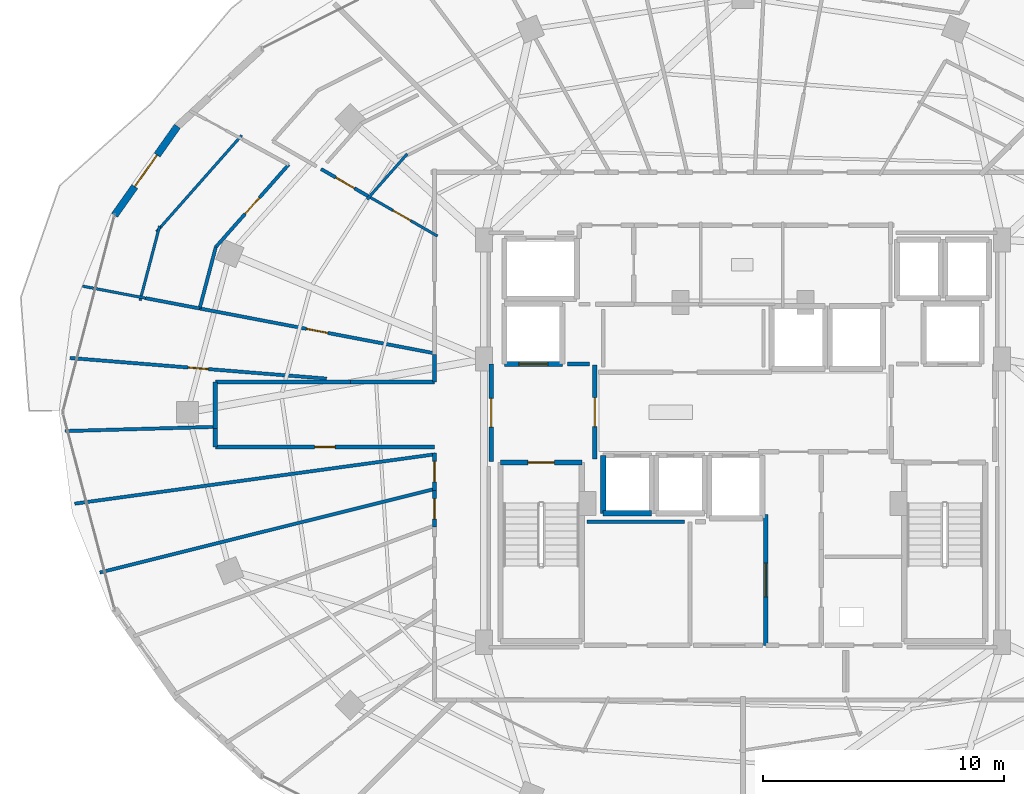
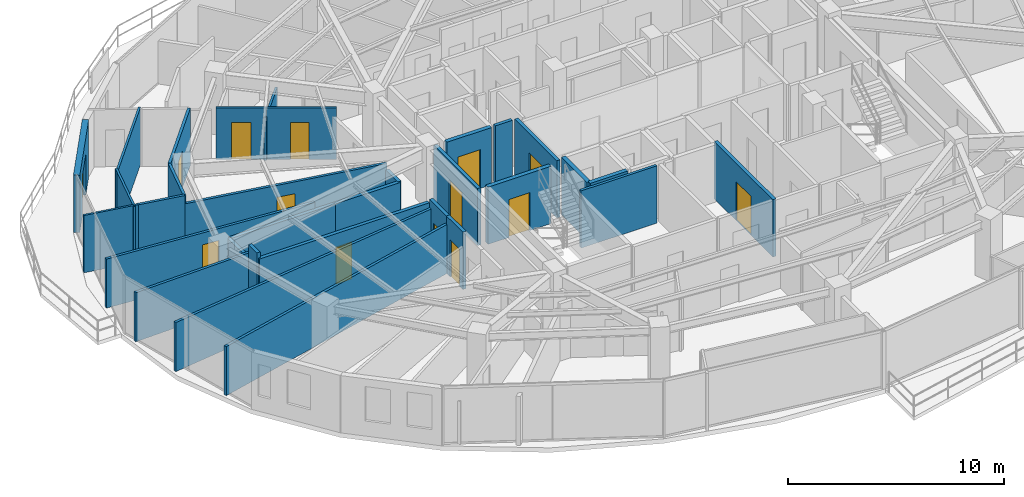
# One storey, part 23 of 31: 32 walls, 14 doors, 14 openings.
"""IFC4 building model written with IfcOpenShell, lengths in metres."""

from ifc_helpers import new_model, si_unit, direction, frame, frame_2d, origin, place, context, subcontext, project, spatial, rectangle, extrude, material, layer, layer_set, type_object, element, fill, save


model = new_model("IFC4")

# Units and contexts
model_context = context("Model", 3, precision=1e-05, world=origin(), true_north=direction((0.0, 1.0)))
body_context = subcontext(model_context, "Body", "Model", "MODEL_VIEW")
ifc_project = project(units=[si_unit("LENGTHUNIT", "METRE"), si_unit("AREAUNIT", "SQUARE_METRE"), si_unit("VOLUMEUNIT", "CUBIC_METRE"), si_unit("PLANEANGLEUNIT", "RADIAN"), si_unit("MASSUNIT", "GRAM", prefix="KILO")], contexts=[model_context])

# Site, building, storey
site_placement = place(None, origin())
site = spatial("IfcSite", under=ifc_project, at=site_placement, CompositionType="ELEMENT")
building_placement = place(site_placement, origin())
building = spatial("IfcBuilding", under=site, at=building_placement, Name="Vorneva Point Tower", CompositionType="ELEMENT")
storey_placement = place(building_placement, frame((0.0, 0.0, 193.10009765625)))
storey = spatial("IfcBuildingStorey", under=building, at=storey_placement, Name="L52", CompositionType="ELEMENT", Elevation=193.10009765625)

# Wall, opening, door
ifc_material_1 = material(Name="Concrete B60 (C50/60)", Category="concrete")
ifc_layer_1 = layer(ifc_material_1, 0.35009765625)
ifc_layer_set_1 = layer_set([ifc_layer_1], Name="Concrete B60 (C50/60)")
wall_type_1 = type_object("IfcWallType", Name="WL-CORE-350", PredefinedType="SHEAR", material=ifc_layer_set_1)
wall_1_placement = place(storey_placement, frame((28.10009765625, 28.0, 0.0), z_axis=(0.0, 0.0, 1.0), x_axis=(1.0, 0.0, 0.0)))
wall_1 = element("IfcWall", 1, at=wall_1_placement, inside=storey, type_object=wall_type_1, Name="L52 Lift FFL1 Shaft Wall -Y", PredefinedType="SHEAR", context=body_context, shape_type="SweptSolid", body=[
    extrude(rectangle(XDim=2.39990234375, YDim=0.219970703125, at=frame_2d((1.199951171875, 0.0))), origin(), (0.0, 0.0, 1.0), 3.239990234375),
])
opening_1_placement = place(wall_1_placement, frame((0.60009765625, 0.0, 0.0)))
opening_1 = element("IfcOpeningElement", 2, at=opening_1_placement, cuts=wall_1, Name="Opening LD-02", PredefinedType="OPENING", context=body_context, shape_type="SweptSolid", body=[
    extrude(rectangle(XDim=1.199951171875, YDim=2.199951171875, at=frame_2d((0.60009765625, 1.10009765625))), frame((0.0, 0.125, 0.0), z_axis=(0.0, -1.0, 0.0), x_axis=(1.0, 0.0, 0.0)), (0.0, 0.0, 1.0), 0.249755859375),
])
ifc_material_2 = material(Name="Brushed stainless steel S304", Category="steel")
door_type_1 = type_object("IfcDoorType", Name="LD-FIRE-1200", OperationType="SLIDING_TO_LEFT", PredefinedType="DOOR", material=ifc_material_2)
door_1_placement = place(opening_1_placement, origin())
door_1 = element("IfcDoor", 3, at=door_1_placement, inside=storey, type_object=door_type_1, Name="L52 Lift FFL1 Sliding Landing Door", OperationType="SLIDING_TO_LEFT", OverallHeight=2.199951171875, OverallWidth=1.199951171875, PredefinedType="DOOR", context=body_context, shape_type="SweptSolid", body=[
    extrude(rectangle(XDim=1.199951171875, YDim=2.199951171875, at=frame_2d((0.60009765625, 1.10009765625))), frame((0.0, 0.02490234375, 0.0), z_axis=(0.0, -1.0, 0.0), x_axis=(1.0, 0.0, 0.0)), (0.0, 0.0, 1.0), 0.050048828125),
])
fill(opening_1, door_1)

ifc_material_3 = material(Name="Precast concrete B50 (C40/50)", Category="concrete")
ifc_layer_2 = layer(ifc_material_3, 0.300048828125)
ifc_layer_set_2 = layer_set([ifc_layer_2], Name="Precast concrete B50 (C40/50)")
wall_type_2 = type_object("IfcWallType", Name="WL-EXT-300", PredefinedType="STANDARD", material=ifc_layer_set_2)
wall_2_placement = place(storey_placement, frame((14.527587890625, 37.861328125, 0.0), z_axis=(0.0, 0.0, 1.0), x_axis=(-0.577168747264, -0.81662490605, 0.0)))
wall_2 = element("IfcWall", 4, at=wall_2_placement, inside=storey, type_object=wall_type_2, Name="L52 Pale-Metal Facade Spandrel Wall 07.2", PredefinedType="STANDARD", context=body_context, shape_type="SweptSolid", body=[
    extrude(rectangle(XDim=4.519775390625, YDim=0.300048828125, at=frame_2d((2.259765625, 0.0))), origin(), (0.0, 0.0, 1.0), 3.239990234375),
])
opening_2_placement = place(wall_2_placement, frame((1.4599609375, 0.0, 0.0)))
opening_2 = element("IfcOpeningElement", 5, at=opening_2_placement, cuts=wall_2, Name="Opening BD-01", PredefinedType="OPENING", context=body_context, shape_type="SweptSolid", body=[
    extrude(rectangle(XDim=1.60009765625, YDim=2.300048828125, at=frame_2d((0.800048828125, 1.14990234375))), frame((0.0, 0.1650390625, 0.0), z_axis=(0.0, -1.0, 0.0), x_axis=(1.0, 0.0, 0.0)), (0.0, 0.0, 1.0), 0.329833984375),
])
ifc_material_4 = material(Name="Pale anodised aluminium", Category="aluminium")
door_type_2 = type_object("IfcDoorType", Name="DR-BAL-1600", OperationType="SLIDING_TO_LEFT", PredefinedType="DOOR", material=ifc_material_4)
door_2_placement = place(opening_2_placement, origin())
door_2 = element("IfcDoor", 6, at=door_2_placement, inside=storey, type_object=door_type_2, Name="L52 Balcony Terrace Access Door 07", OperationType="SLIDING_TO_LEFT", OverallHeight=2.300048828125, OverallWidth=1.60009765625, PredefinedType="DOOR", context=body_context, shape_type="SweptSolid", body=[
    extrude(rectangle(XDim=1.60009765625, YDim=2.300048828125, at=frame_2d((0.800048828125, 1.14990234375))), frame((0.0, 0.02490234375, 0.0), z_axis=(0.0, -1.0, 0.0), x_axis=(1.0, 0.0, 0.0)), (0.0, 0.0, 1.0), 0.050048828125),
])
fill(opening_2, door_2)

ifc_material_5 = material(Name="Fire-rated acoustic gypsum stud partition", Category="gypsum")
ifc_layer_3 = layer(ifc_material_5, 0.110107421875)
ifc_layer_set_3 = layer_set([ifc_layer_3], Name="Fire-rated acoustic gypsum stud partition")
wall_type_3 = type_object("IfcWallType", Name="WL-PART-110", PredefinedType="PARTITIONING", material=ifc_layer_set_3)
wall_3_placement = place(storey_placement, frame((25.3212890625, 33.30615234375, 0.0), z_axis=(0.0, 0.0, 1.0), x_axis=(-0.866517217622, 0.49914718427, 0.0)))
wall_3 = element("IfcWall", 7, at=wall_3_placement, inside=storey, type_object=wall_type_3, Name="L52 Interior Partition 091", PredefinedType="PARTITIONING", context=body_context, shape_type="SweptSolid", body=[
    extrude(rectangle(XDim=3.4052734375, YDim=0.110107421875, at=frame_2d((1.70263671875, 0.0))), origin(), (0.0, 0.0, 1.0), 2.921875),
])
opening_3_placement = place(wall_3_placement, frame((1.277587890625, 0.0, 0.0)))
opening_3 = element("IfcOpeningElement", 8, at=opening_3_placement, cuts=wall_3, Name="Opening ID-02", PredefinedType="OPENING", context=body_context, shape_type="SweptSolid", body=[
    extrude(rectangle(XDim=0.85009765625, YDim=2.10009765625, at=frame_2d((0.425048828125, 1.050048828125))), frame((0.0, 0.06982421875, 0.0), z_axis=(0.0, -1.0, 0.0), x_axis=(1.0, 0.0, 0.0)), (0.0, 0.0, 1.0), 0.139892578125),
])
ifc_material_6 = material(Name="Engineered oak fire-rated door leaf", Category="wood")
door_type_3 = type_object("IfcDoorType", Name="DR-BATH-850", OperationType="NOTDEFINED", PredefinedType="DOOR", material=ifc_material_6)
door_3_placement = place(opening_3_placement, origin())
door_3 = element("IfcDoor", 9, at=door_3_placement, inside=storey, type_object=door_type_3, Name="L52 Door Living and Dining Room L52-02 / Bathroom L52-02", OperationType="SINGLE_SWING_RIGHT", OverallHeight=2.10009765625, OverallWidth=0.85009765625, PredefinedType="DOOR", context=body_context, shape_type="SweptSolid", body=[
    extrude(rectangle(XDim=0.85009765625, YDim=2.10009765625, at=frame_2d((0.425048828125, 1.050048828125))), frame((0.0, 0.02490234375, 0.0), z_axis=(0.0, -1.0, 0.0), x_axis=(1.0, 0.0, 0.0)), (0.0, 0.0, 1.0), 0.050048828125),
])
fill(opening_3, door_3)

# Walls
wall_4_placement = place(storey_placement, frame((13.21044921875, 30.728759765625, 0.0), z_axis=(0.0, 0.0, 1.0), x_axis=(-0.982266305937, 0.187491077708, 0.0)))
element("IfcWall", 10, at=wall_4_placement, inside=storey, type_object=wall_type_3, Name="L52 Interior Partition 093", PredefinedType="PARTITIONING", context=body_context, shape_type="SweptSolid", body=[
    extrude(rectangle(XDim=2.664306640625, YDim=0.110107421875, at=frame_2d((1.33203125, 0.0))), origin(), (0.0, 0.0, 1.0), 3.239990234375),
])
wall_5_placement = place(storey_placement, frame((22.3994140625, 34.8310546875, 0.0), z_axis=(0.0, 0.0, 1.0), x_axis=(0.662292938072, 0.749244996099, 0.0)))
element("IfcWall", 11, at=wall_5_placement, inside=storey, type_object=wall_type_3, Name="L52 Interior Partition 099", PredefinedType="PARTITIONING", context=body_context, shape_type="SweptSolid", body=[
    extrude(rectangle(XDim=2.512939453125, YDim=0.110107421875, at=frame_2d((1.25634765625, 0.0))), origin(), (0.0, 0.0, 1.0), 2.431884765625),
])
wall_6_placement = place(storey_placement, frame((12.978515625, 30.631591796875, 0.0), z_axis=(0.0, 0.0, 1.0), x_axis=(0.254121849718, 0.967172210879, 0.0)))
element("IfcWall", 12, at=wall_6_placement, inside=storey, type_object=wall_type_3, Name="L52 Interior Partition 101", PredefinedType="PARTITIONING", context=body_context, shape_type="SweptSolid", body=[
    extrude(rectangle(XDim=3.203125, YDim=0.110107421875, at=frame_2d((1.6015625, 0.0))), origin(), (0.0, 0.0, 1.0), 3.239990234375),
])
wall_7_placement = place(storey_placement, frame((13.664306640625, 33.489013671875, 0.0), z_axis=(0.0, 0.0, 1.0), x_axis=(0.662149418065, 0.74937183571, 0.0)))
element("IfcWall", 13, at=wall_7_placement, inside=storey, type_object=wall_type_3, Name="L52 Interior Partition 102", PredefinedType="PARTITIONING", context=body_context, shape_type="SweptSolid", body=[
    extrude(rectangle(XDim=5.337890625, YDim=0.110107421875, at=frame_2d((2.6689453125, 0.0))), origin(), (0.0, 0.0, 1.0), 3.239990234375),
])

# Wall, opening, door
ifc_layer_4 = layer(ifc_material_5, 0.139892578125)
ifc_layer_set_4 = layer_set([ifc_layer_4], Name="Fire-rated acoustic gypsum stud partition")
wall_type_4 = type_object("IfcWallType", Name="WL-PART-140", PredefinedType="PARTITIONING", material=ifc_layer_set_4)
wall_8_placement = place(storey_placement, frame((22.491943359375, 34.93603515625, 0.0), z_axis=(0.0, 0.0, 1.0), x_axis=(-0.866435390844, 0.499289208267, 0.0)))
wall_8 = element("IfcWall", 14, at=wall_8_placement, inside=storey, type_object=wall_type_4, Name="L52 Interior Partition 090", PredefinedType="PARTITIONING", context=body_context, shape_type="SweptSolid", body=[
    extrude(rectangle(XDim=2.309326171875, YDim=0.139892578125, at=frame_2d((1.15478515625, 0.0))), origin(), (0.0, 0.0, 1.0), 2.921875),
])
opening_4_placement = place(wall_8_placement, frame((0.70458984375, 0.0, 0.0)))
opening_4 = element("IfcOpeningElement", 15, at=opening_4_placement, cuts=wall_8, Name="Opening ID-01", PredefinedType="OPENING", context=body_context, shape_type="SweptSolid", body=[
    extrude(rectangle(XDim=0.89990234375, YDim=2.10009765625, at=frame_2d((0.449951171875, 1.050048828125))), frame((0.0, 0.0849609375, 0.0), z_axis=(0.0, -1.0, 0.0), x_axis=(1.0, 0.0, 0.0)), (0.0, 0.0, 1.0), 0.169677734375),
])
door_type_4 = type_object("IfcDoorType", Name="DR-ROOM-900", OperationType="NOTDEFINED", PredefinedType="DOOR", material=ifc_material_6)
door_4_placement = place(opening_4_placement, origin())
door_4 = element("IfcDoor", 16, at=door_4_placement, inside=storey, type_object=door_type_4, Name="L52 Door Living and Dining Room L52-02 / Family Dining Room L52-02", OperationType="SINGLE_SWING_LEFT", OverallHeight=2.10009765625, OverallWidth=0.89990234375, PredefinedType="DOOR", context=body_context, shape_type="SweptSolid", body=[
    extrude(rectangle(XDim=0.89990234375, YDim=2.10009765625, at=frame_2d((0.449951171875, 1.050048828125))), frame((0.0, 0.02490234375, 0.0), z_axis=(0.0, -1.0, 0.0), x_axis=(1.0, 0.0, 0.0)), (0.0, 0.0, 1.0), 0.050048828125),
])
fill(opening_4, door_4)

wall_9_placement = place(storey_placement, frame((19.14501953125, 36.27294921875, 0.0), z_axis=(0.0, 0.0, 1.0), x_axis=(-0.662162868769, -0.749359950373, 0.0)))
wall_9 = element("IfcWall", 17, at=wall_9_placement, inside=storey, type_object=wall_type_4, Name="L52 Interior Partition 095", PredefinedType="PARTITIONING", context=body_context, shape_type="SweptSolid", body=[
    extrude(rectangle(XDim=4.563720703125, YDim=0.139892578125, at=frame_2d((2.28173828125, 0.0))), origin(), (0.0, 0.0, 1.0), 3.239990234375),
])
opening_5_placement = place(wall_9_placement, frame((1.831787109375, 0.0, 0.0)))
opening_5 = element("IfcOpeningElement", 18, at=opening_5_placement, cuts=wall_9, Name="Opening ID-01", PredefinedType="OPENING", context=body_context, shape_type="SweptSolid", body=[
    extrude(rectangle(XDim=0.89990234375, YDim=2.10009765625, at=frame_2d((0.449951171875, 1.050048828125))), frame((0.0, 0.0849609375, 0.0), z_axis=(0.0, -1.0, 0.0), x_axis=(1.0, 0.0, 0.0)), (0.0, 0.0, 1.0), 0.169677734375),
])
door_5_placement = place(opening_5_placement, origin())
door_5 = element("IfcDoor", 19, at=door_5_placement, inside=storey, type_object=door_type_4, Name="L52 Door Living and Dining Room L52-02 / Study Room L52-02", OperationType="SINGLE_SWING_LEFT", OverallHeight=2.10009765625, OverallWidth=0.89990234375, PredefinedType="DOOR", context=body_context, shape_type="SweptSolid", body=[
    extrude(rectangle(XDim=0.89990234375, YDim=2.10009765625, at=frame_2d((0.449951171875, 1.050048828125))), frame((0.0, 0.02490234375, 0.0), z_axis=(0.0, -1.0, 0.0), x_axis=(1.0, 0.0, 0.0)), (0.0, 0.0, 1.0), 0.050048828125),
])
fill(opening_5, door_5)

# Walls
wall_10_placement = place(storey_placement, frame((16.123046875, 32.85302734375, 0.0), z_axis=(0.0, 0.0, 1.0), x_axis=(-0.254775717765, -0.967000172512, 0.0)))
element("IfcWall", 20, at=wall_10_placement, inside=storey, type_object=wall_type_4, Name="L52 Interior Partition 096", PredefinedType="PARTITIONING", context=body_context, shape_type="SweptSolid", body=[
    extrude(rectangle(XDim=2.63818359375, YDim=0.139892578125, at=frame_2d((1.319091796875, 0.0))), origin(), (0.0, 0.0, 1.0), 3.239990234375),
])
wall_11_placement = place(storey_placement, frame((15.450927734375, 30.302001953125, 0.0), z_axis=(0.0, 0.0, 1.0), x_axis=(-0.982295439063, 0.187338384738, 0.0)))
element("IfcWall", 21, at=wall_11_placement, inside=storey, type_object=wall_type_4, Name="L52 Interior Partition 097", PredefinedType="PARTITIONING", context=body_context, shape_type="SweptSolid", body=[
    extrude(rectangle(XDim=2.280517578125, YDim=0.139892578125, at=frame_2d((1.14013671875, 0.0))), origin(), (0.0, 0.0, 1.0), 3.239990234375),
])

# Wall, opening, door
wall_12_placement = place(storey_placement, frame((15.450927734375, 30.3017578125, 0.0), z_axis=(0.0, 0.0, 1.0), x_axis=(0.982284698783, -0.187394691859, 0.0)))
wall_12 = element("IfcWall", 22, at=wall_12_placement, inside=storey, type_object=wall_type_4, Name="L52 Interior Partition 098", PredefinedType="PARTITIONING", context=body_context, shape_type="SweptSolid", body=[
    extrude(rectangle(XDim=9.9248046875, YDim=0.139892578125, at=frame_2d((4.96240234375, 0.0))), origin(), (0.0, 0.0, 1.0), 2.77392578125),
])
opening_6_placement = place(wall_12_placement, frame((4.512451171875, 0.0, 0.0)))
opening_6 = element("IfcOpeningElement", 23, at=opening_6_placement, cuts=wall_12, Name="Opening ID-01", PredefinedType="OPENING", context=body_context, shape_type="SweptSolid", body=[
    extrude(rectangle(XDim=0.89990234375, YDim=2.10009765625, at=frame_2d((0.449951171875, 1.050048828125))), frame((0.0, 0.0849609375, 0.0), z_axis=(0.0, -1.0, 0.0), x_axis=(1.0, 0.0, 0.0)), (0.0, 0.0, 1.0), 0.169677734375),
])
door_6_placement = place(opening_6_placement, origin())
door_6 = element("IfcDoor", 24, at=door_6_placement, inside=storey, type_object=door_type_4, Name="L52 Door Living and Dining Room L52-02 / Master Bedroom L52-02.1", OperationType="SINGLE_SWING_RIGHT", OverallHeight=2.10009765625, OverallWidth=0.89990234375, PredefinedType="DOOR", context=body_context, shape_type="SweptSolid", body=[
    extrude(rectangle(XDim=0.89990234375, YDim=2.10009765625, at=frame_2d((0.449951171875, 1.050048828125))), frame((0.0, 0.02490234375, 0.0), z_axis=(0.0, -1.0, 0.0), x_axis=(1.0, 0.0, 0.0)), (0.0, 0.0, 1.0), 0.050048828125),
])
fill(opening_6, door_6)

wall_13_placement = place(storey_placement, frame((10.06396484375, 28.248046875, 0.0), z_axis=(0.0, 0.0, 1.0), x_axis=(0.996775744362, -0.080237867939, 0.0)))
wall_13 = element("IfcWall", 25, at=wall_13_placement, inside=storey, type_object=wall_type_4, Name="L52 Interior Partition 103", PredefinedType="PARTITIONING", context=body_context, shape_type="SweptSolid", body=[
    extrude(rectangle(XDim=10.695068359375, YDim=0.139892578125, at=frame_2d((5.34765625, 0.0))), origin(), (0.0, 0.0, 1.0), 2.77392578125),
])
opening_7_placement = place(wall_13_placement, frame((4.922607421875, 0.0, 0.0)))
opening_7 = element("IfcOpeningElement", 26, at=opening_7_placement, cuts=wall_13, Name="Opening ID-02", PredefinedType="OPENING", context=body_context, shape_type="SweptSolid", body=[
    extrude(rectangle(XDim=0.85009765625, YDim=2.10009765625, at=frame_2d((0.425048828125, 1.050048828125))), frame((0.0, 0.0849609375, 0.0), z_axis=(0.0, -1.0, 0.0), x_axis=(1.0, 0.0, 0.0)), (0.0, 0.0, 1.0), 0.169677734375),
])
door_7_placement = place(opening_7_placement, origin())
door_7 = element("IfcDoor", 27, at=door_7_placement, inside=storey, type_object=door_type_3, Name="L52 Access Door Master Bedroom L52-02.1", OperationType="SINGLE_SWING_LEFT", OverallHeight=2.10009765625, OverallWidth=0.85009765625, PredefinedType="DOOR", context=body_context, shape_type="SweptSolid", body=[
    extrude(rectangle(XDim=0.85009765625, YDim=2.10009765625, at=frame_2d((0.425048828125, 1.050048828125))), frame((0.0, 0.02490234375, 0.0), z_axis=(0.0, -1.0, 0.0), x_axis=(1.0, 0.0, 0.0)), (0.0, 0.0, 1.0), 0.050048828125),
])
fill(opening_7, door_7)

# Walls
wall_14_placement = place(storey_placement, frame((9.873046875, 25.214111328125, 0.0), z_axis=(0.0, 0.0, 1.0), x_axis=(0.999610603939, 0.027904130401, 0.0)))
element("IfcWall", 28, at=wall_14_placement, inside=storey, type_object=wall_type_4, Name="L52 Interior Partition 104", PredefinedType="PARTITIONING", context=body_context, shape_type="SweptSolid", body=[
    extrude(rectangle(XDim=6.2294921875, YDim=0.139892578125, at=frame_2d((3.11474609375, 0.0))), origin(), (0.0, 0.0, 1.0), 2.77392578125),
])
wall_15_placement = place(storey_placement, frame((10.26611328125, 22.200927734375, 0.0), z_axis=(0.0, 0.0, 1.0), x_axis=(0.990743725495, 0.135745609106, 0.0)))
element("IfcWall", 29, at=wall_15_placement, inside=storey, type_object=wall_type_4, Name="L52 Interior Partition 105", PredefinedType="PARTITIONING", context=body_context, shape_type="SweptSolid", body=[
    extrude(rectangle(XDim=15.0732421875, YDim=0.139892578125, at=frame_2d((7.53662109375, 0.0))), origin(), (0.0, 0.0, 1.0), 2.77392578125),
])
wall_16_placement = place(storey_placement, frame((11.31201171875, 19.345947265625, 0.0), z_axis=(0.0, 0.0, 1.0), x_axis=(0.970287811835, 0.241953636475, 0.0)))
element("IfcWall", 30, at=wall_16_placement, inside=storey, type_object=wall_type_4, Name="L52 Interior Partition 106", PredefinedType="PARTITIONING", context=body_context, shape_type="SweptSolid", body=[
    extrude(rectangle(XDim=14.313232421875, YDim=0.139892578125, at=frame_2d((7.15673828125, 0.0))), origin(), (0.0, 0.0, 1.0), 2.77392578125),
])
wall_17_placement = place(storey_placement, frame((35.580078125, 21.449951171875, 0.0), z_axis=(0.0, 0.0, 1.0), x_axis=(-1.0, 0.0, 0.0)))
element("IfcWall", 31, at=wall_17_placement, inside=storey, type_object=wall_type_4, Name="L52 Interior Closure Partition 134", PredefinedType="PARTITIONING", context=body_context, shape_type="SweptSolid", body=[
    extrude(rectangle(XDim=4.050048828125, YDim=0.139892578125, at=frame_2d((2.02490234375, 0.0))), origin(), (0.0, 0.0, 1.0), 3.239990234375),
])

# Wall, opening, door
ifc_material_7 = material(Name="Autoclaved aerated concrete blockwork", Category="masonry")
ifc_layer_5 = layer(ifc_material_7, 0.179931640625)
ifc_layer_set_5 = layer_set([ifc_layer_5], Name="Autoclaved aerated concrete blockwork")
wall_type_5 = type_object("IfcWallType", Name="WL-PART-180", PredefinedType="PARTITIONING", material=ifc_layer_set_5)
wall_18_placement = place(storey_placement, frame((31.85009765625, 24.044921875, 0.0), z_axis=(0.0, 0.0, 1.0), x_axis=(0.0, 1.0, 0.0)))
wall_18 = element("IfcWall", 32, at=wall_18_placement, inside=storey, type_object=wall_type_5, Name="L52 Interior Partition 001", PredefinedType="PARTITIONING", context=body_context, shape_type="SweptSolid", body=[
    extrude(rectangle(XDim=3.91015625, YDim=0.179931640625, at=frame_2d((1.955078125, 0.0))), origin(), (0.0, 0.0, 1.0), 3.239990234375),
])
opening_8_placement = place(wall_18_placement, frame((1.35498046875, 0.0, 0.0)))
opening_8 = element("IfcOpeningElement", 33, at=opening_8_placement, cuts=wall_18, Name="Opening FD-02", PredefinedType="OPENING", context=body_context, shape_type="SweptSolid", body=[
    extrude(rectangle(XDim=1.199951171875, YDim=2.14990234375, at=frame_2d((0.60009765625, 1.074951171875))), frame((0.0, 0.10498046875, 0.0), z_axis=(0.0, -1.0, 0.0), x_axis=(1.0, 0.0, 0.0)), (0.0, 0.0, 1.0), 0.209716796875),
])
ifc_material_8 = material(Name="Fire-rated powder-coated steel", Category="steel")
door_type_5 = type_object("IfcDoorType", Name="DR-FFL-1200", OperationType="NOTDEFINED", PredefinedType="DOOR", material=ifc_material_8)
door_8_placement = place(opening_8_placement, origin())
door_8 = element("IfcDoor", 34, at=door_8_placement, inside=storey, type_object=door_type_5, Name="L52 Door West Firefighting Lobby / Central Lift Lobby", OperationType="SINGLE_SWING_RIGHT", OverallHeight=2.14990234375, OverallWidth=1.199951171875, PredefinedType="DOOR", context=body_context, shape_type="SweptSolid", body=[
    extrude(rectangle(XDim=1.199951171875, YDim=2.14990234375, at=frame_2d((0.60009765625, 1.074951171875))), frame((0.0, 0.02490234375, 0.0), z_axis=(0.0, -1.0, 0.0), x_axis=(1.0, 0.0, 0.0)), (0.0, 0.0, 1.0), 0.050048828125),
])
fill(opening_8, door_8)

wall_19_placement = place(storey_placement, frame((27.550048828125, 28.0, 0.0), z_axis=(0.0, 0.0, 1.0), x_axis=(0.0, -1.0, 0.0)))
wall_19 = element("IfcWall", 35, at=wall_19_placement, inside=storey, type_object=wall_type_5, Name="L52 Interior Partition 002", PredefinedType="PARTITIONING", context=body_context, shape_type="SweptSolid", body=[
    extrude(rectangle(XDim=4.050048828125, YDim=0.179931640625, at=frame_2d((2.02490234375, 0.0))), origin(), (0.0, 0.0, 1.0), 3.239990234375),
])
opening_9_placement = place(wall_19_placement, frame((1.425048828125, 0.0, 0.0)))
opening_9 = element("IfcOpeningElement", 36, at=opening_9_placement, cuts=wall_19, Name="Opening FD-02", PredefinedType="OPENING", context=body_context, shape_type="SweptSolid", body=[
    extrude(rectangle(XDim=1.199951171875, YDim=2.14990234375, at=frame_2d((0.60009765625, 1.074951171875))), frame((0.0, 0.10498046875, 0.0), z_axis=(0.0, -1.0, 0.0), x_axis=(1.0, 0.0, 0.0)), (0.0, 0.0, 1.0), 0.209716796875),
])
door_9_placement = place(opening_9_placement, origin())
door_9 = element("IfcDoor", 37, at=door_9_placement, inside=storey, type_object=door_type_5, Name="L52 Door West Firefighting Lobby / L52 Circulation Corridor", OperationType="SINGLE_SWING_RIGHT", OverallHeight=2.14990234375, OverallWidth=1.199951171875, PredefinedType="DOOR", context=body_context, shape_type="SweptSolid", body=[
    extrude(rectangle(XDim=1.199951171875, YDim=2.14990234375, at=frame_2d((0.60009765625, 1.074951171875))), frame((0.0, 0.02490234375, 0.0), z_axis=(0.0, -1.0, 0.0), x_axis=(1.0, 0.0, 0.0)), (0.0, 0.0, 1.0), 0.050048828125),
])
fill(opening_9, door_9)

wall_20_placement = place(storey_placement, frame((38.949951171875, 21.7548828125, 0.0), z_axis=(0.0, 0.0, 1.0), x_axis=(0.0, -1.0, 0.0)))
wall_20 = element("IfcWall", 38, at=wall_20_placement, inside=storey, type_object=wall_type_5, Name="L52 Interior Partition 015", PredefinedType="PARTITIONING", context=body_context, shape_type="SweptSolid", body=[
    extrude(rectangle(XDim=5.434814453125, YDim=0.179931640625, at=frame_2d((2.71728515625, 0.0))), origin(), (0.0, 0.0, 1.0), 3.239990234375),
])
opening_10_placement = place(wall_20_placement, frame((2.017578125, 0.0, 0.0)))
opening_10 = element("IfcOpeningElement", 39, at=opening_10_placement, cuts=wall_20, Name="Opening FD-03", PredefinedType="OPENING", context=body_context, shape_type="SweptSolid", body=[
    extrude(rectangle(XDim=1.39990234375, YDim=2.199951171875, at=frame_2d((0.699951171875, 1.10009765625))), frame((0.0, 0.10498046875, 0.0), z_axis=(0.0, -1.0, 0.0), x_axis=(1.0, 0.0, 0.0)), (0.0, 0.0, 1.0), 0.209716796875),
])
door_type_6 = type_object("IfcDoorType", Name="DR-PLT-1400", OperationType="DOUBLE_SWING_LEFT", PredefinedType="DOOR", material=ifc_material_8)
door_10_placement = place(opening_10_placement, origin())
door_10 = element("IfcDoor", 40, at=door_10_placement, inside=storey, type_object=door_type_6, Name="L52 Door Core Service Lobby / Telecoms and Data Room", OperationType="DOUBLE_SWING_LEFT", OverallHeight=2.199951171875, OverallWidth=1.39990234375, PredefinedType="DOOR", context=body_context, shape_type="SweptSolid", body=[
    extrude(rectangle(XDim=1.39990234375, YDim=2.199951171875, at=frame_2d((0.699951171875, 1.10009765625))), frame((0.0, 0.02490234375, 0.0), z_axis=(0.0, -1.0, 0.0), x_axis=(1.0, 0.0, 0.0)), (0.0, 0.0, 1.0), 0.050048828125),
])
fill(opening_10, door_10)

# Walls
wall_21_placement = place(storey_placement, frame((25.199951171875, 28.382080078125, 0.0), z_axis=(0.0, 0.0, 1.0), x_axis=(0.0, -1.0, 0.0)))
element("IfcWall", 41, at=wall_21_placement, inside=storey, type_object=wall_type_5, Name="L52 Interior Partition 042", PredefinedType="PARTITIONING", context=body_context, shape_type="SweptSolid", body=[
    extrude(rectangle(XDim=1.132080078125, YDim=0.179931640625, at=frame_2d((0.56591796875, 0.0))), origin(), (0.0, 0.0, 1.0), 2.431884765625),
])
wall_22_placement = place(storey_placement, frame((25.199951171875, 27.25, 0.0), z_axis=(0.0, 0.0, 1.0), x_axis=(-1.0, 0.0, 0.0)))
element("IfcWall", 42, at=wall_22_placement, inside=storey, type_object=wall_type_5, Name="L52 Interior Partition 043", PredefinedType="PARTITIONING", context=body_context, shape_type="SweptSolid", body=[
    extrude(rectangle(XDim=3.48388671875, YDim=0.179931640625, at=frame_2d((1.741943359375, 0.0))), origin(), (0.0, 0.0, 1.0), 2.431884765625),
])
wall_23_placement = place(storey_placement, frame((16.10009765625, 27.25, 0.0), z_axis=(0.0, 0.0, 1.0), x_axis=(0.0, -1.0, 0.0)))
element("IfcWall", 43, at=wall_23_placement, inside=storey, type_object=wall_type_5, Name="L52 Interior Partition 044", PredefinedType="PARTITIONING", context=body_context, shape_type="SweptSolid", body=[
    extrude(rectangle(XDim=1.922119140625, YDim=0.179931640625, at=frame_2d((0.9609375, 0.0))), origin(), (0.0, 0.0, 1.0), 2.431884765625),
])
wall_24_placement = place(storey_placement, frame((21.716064453125, 27.25, 0.0), z_axis=(0.0, 0.0, 1.0), x_axis=(-1.0, 0.0, 0.0)))
element("IfcWall", 44, at=wall_24_placement, inside=storey, type_object=wall_type_5, Name="L52 Interior Partition 045", PredefinedType="PARTITIONING", context=body_context, shape_type="SweptSolid", body=[
    extrude(rectangle(XDim=5.615966796875, YDim=0.179931640625, at=frame_2d((2.80810546875, 0.0))), origin(), (0.0, 0.0, 1.0), 2.431884765625),
])
wall_25_placement = place(storey_placement, frame((16.10009765625, 25.327880859375, 0.0), z_axis=(0.0, 0.0, 1.0), x_axis=(0.0, -1.0, 0.0)))
element("IfcWall", 45, at=wall_25_placement, inside=storey, type_object=wall_type_5, Name="L52 Interior Partition 046", PredefinedType="PARTITIONING", context=body_context, shape_type="SweptSolid", body=[
    extrude(rectangle(XDim=0.77783203125, YDim=0.179931640625, at=frame_2d((0.388916015625, 0.0))), origin(), (0.0, 0.0, 1.0), 3.239990234375),
])

# Wall, opening, door
wall_26_placement = place(storey_placement, frame((16.10009765625, 24.550048828125, 0.0), z_axis=(0.0, 0.0, 1.0), x_axis=(1.0, 0.0, 0.0)))
wall_26 = element("IfcWall", 46, at=wall_26_placement, inside=storey, type_object=wall_type_5, Name="L52 Interior Partition 047", PredefinedType="PARTITIONING", context=body_context, shape_type="SweptSolid", body=[
    extrude(rectangle(XDim=9.099853515625, YDim=0.179931640625, at=frame_2d((4.5498046875, 0.0))), origin(), (0.0, 0.0, 1.0), 2.921875),
])
opening_11_placement = place(wall_26_placement, frame((4.125, 0.0, 0.0)))
opening_11 = element("IfcOpeningElement", 47, at=opening_11_placement, cuts=wall_26, Name="Opening ID-02", PredefinedType="OPENING", context=body_context, shape_type="SweptSolid", body=[
    extrude(rectangle(XDim=0.85009765625, YDim=2.10009765625, at=frame_2d((0.425048828125, 1.050048828125))), frame((0.0, 0.10498046875, 0.0), z_axis=(0.0, -1.0, 0.0), x_axis=(1.0, 0.0, 0.0)), (0.0, 0.0, 1.0), 0.209716796875),
])
door_11_placement = place(opening_11_placement, origin())
door_11 = element("IfcDoor", 48, at=door_11_placement, inside=storey, type_object=door_type_3, Name="L52 Access Door L52 Circulation Corridor", OperationType="SINGLE_SWING_LEFT", OverallHeight=2.10009765625, OverallWidth=0.85009765625, PredefinedType="DOOR", context=body_context, shape_type="SweptSolid", body=[
    extrude(rectangle(XDim=0.85009765625, YDim=2.10009765625, at=frame_2d((0.425048828125, 1.050048828125))), frame((0.0, 0.02490234375, 0.0), z_axis=(0.0, -1.0, 0.0), x_axis=(1.0, 0.0, 0.0)), (0.0, 0.0, 1.0), 0.050048828125),
])
fill(opening_11, door_11)

wall_27_placement = place(storey_placement, frame((25.199951171875, 24.306884765625, 0.0), z_axis=(0.0, 0.0, 1.0), x_axis=(0.0, -1.0, 0.0)))
wall_27 = element("IfcWall", 49, at=wall_27_placement, inside=storey, type_object=wall_type_5, Name="L52 Interior Partition 048", PredefinedType="PARTITIONING", context=body_context, shape_type="SweptSolid", body=[
    extrude(rectangle(XDim=1.559814453125, YDim=0.179931640625, at=frame_2d((0.77978515625, 0.0))), origin(), (0.0, 0.0, 1.0), 3.239990234375),
])
opening_12_placement = place(wall_27_placement, frame((0.35498046875, 0.0, 0.0)))
opening_12 = element("IfcOpeningElement", 50, at=opening_12_placement, cuts=wall_27, Name="Opening ID-02", PredefinedType="OPENING", context=body_context, shape_type="SweptSolid", body=[
    extrude(rectangle(XDim=0.85009765625, YDim=2.10009765625, at=frame_2d((0.425048828125, 1.050048828125))), frame((0.0, 0.10498046875, 0.0), z_axis=(0.0, -1.0, 0.0), x_axis=(1.0, 0.0, 0.0)), (0.0, 0.0, 1.0), 0.209716796875),
])
door_12_placement = place(opening_12_placement, origin())
door_12 = element("IfcDoor", 51, at=door_12_placement, inside=storey, type_object=door_type_3, Name="L52 Access Door L52 Circulation Corridor", OperationType="SINGLE_SWING_RIGHT", OverallHeight=2.10009765625, OverallWidth=0.85009765625, PredefinedType="DOOR", context=body_context, shape_type="SweptSolid", body=[
    extrude(rectangle(XDim=0.85009765625, YDim=2.10009765625, at=frame_2d((0.425048828125, 1.050048828125))), frame((0.0, 0.02490234375, 0.0), z_axis=(0.0, -1.0, 0.0), x_axis=(1.0, 0.0, 0.0)), (0.0, 0.0, 1.0), 0.050048828125),
])
fill(opening_12, door_12)

wall_28_placement = place(storey_placement, frame((25.199951171875, 22.7470703125, 0.0), z_axis=(0.0, 0.0, 1.0), x_axis=(0.0, -1.0, 0.0)))
wall_28 = element("IfcWall", 52, at=wall_28_placement, inside=storey, type_object=wall_type_5, Name="L52 Interior Partition 049", PredefinedType="PARTITIONING", context=body_context, shape_type="SweptSolid", body=[
    extrude(rectangle(XDim=1.52001953125, YDim=0.179931640625, at=frame_2d((0.760009765625, 0.0))), origin(), (0.0, 0.0, 1.0), 3.239990234375),
])
opening_13_placement = place(wall_28_placement, frame((0.3349609375, 0.0, 0.0)))
opening_13 = element("IfcOpeningElement", 53, at=opening_13_placement, cuts=wall_28, Name="Opening ID-02", PredefinedType="OPENING", context=body_context, shape_type="SweptSolid", body=[
    extrude(rectangle(XDim=0.85009765625, YDim=2.10009765625, at=frame_2d((0.425048828125, 1.050048828125))), frame((0.0, 0.10498046875, 0.0), z_axis=(0.0, -1.0, 0.0), x_axis=(1.0, 0.0, 0.0)), (0.0, 0.0, 1.0), 0.209716796875),
])
door_13_placement = place(opening_13_placement, origin())
door_13 = element("IfcDoor", 54, at=door_13_placement, inside=storey, type_object=door_type_3, Name="L52 Access Door L52 Circulation Corridor", OperationType="SINGLE_SWING_LEFT", OverallHeight=2.10009765625, OverallWidth=0.85009765625, PredefinedType="DOOR", context=body_context, shape_type="SweptSolid", body=[
    extrude(rectangle(XDim=0.85009765625, YDim=2.10009765625, at=frame_2d((0.425048828125, 1.050048828125))), frame((0.0, 0.02490234375, 0.0), z_axis=(0.0, -1.0, 0.0), x_axis=(1.0, 0.0, 0.0)), (0.0, 0.0, 1.0), 0.050048828125),
])
fill(opening_13, door_13)

# Wall
wall_29_placement = place(storey_placement, frame((31.635009765625, 28.0, 0.0), z_axis=(0.0, 0.0, 1.0), x_axis=(-1.0, 0.0, 0.0)))
element("IfcWall", 55, at=wall_29_placement, inside=storey, type_object=wall_type_5, Name="L52 Interior Closure Partition 129", PredefinedType="PARTITIONING", context=body_context, shape_type="SweptSolid", body=[
    extrude(rectangle(XDim=0.9150390625, YDim=0.179931640625, at=frame_2d((0.45751953125, 0.0))), origin(), (0.0, 0.0, 1.0), 3.239990234375),
])

# Wall, opening, door
ifc_material_9 = material(Name="Concrete B50 (C40/50)", Category="concrete")
ifc_layer_6 = layer(ifc_material_9, 0.219970703125)
ifc_layer_set_6 = layer_set([ifc_layer_6], Name="Concrete B50 (C40/50)")
wall_type_6 = type_object("IfcWallType", Name="WL-SHFT-220", PredefinedType="SOLIDWALL", material=ifc_layer_set_6)
wall_30_placement = place(storey_placement, frame((27.93994140625, 23.909912109375, 0.0), z_axis=(0.0, 0.0, 1.0), x_axis=(1.0, 0.0, 0.0)))
wall_30 = element("IfcWall", 56, at=wall_30_placement, inside=storey, type_object=wall_type_6, Name="L52 Exit Stair ST1 Shaft Wall near", PredefinedType="SOLIDWALL", context=body_context, shape_type="SweptSolid", body=[
    extrude(rectangle(XDim=3.3701171875, YDim=0.219970703125, at=frame_2d((1.68505859375, 0.0))), origin(), (0.0, 0.0, 1.0), 3.239990234375),
])
opening_14_placement = place(wall_30_placement, frame((1.135009765625, 0.0, 0.0)))
opening_14 = element("IfcOpeningElement", 57, at=opening_14_placement, cuts=wall_30, Name="Opening FD-01", PredefinedType="OPENING", context=body_context, shape_type="SweptSolid", body=[
    extrude(rectangle(XDim=1.10009765625, YDim=2.14990234375, at=frame_2d((0.550048828125, 1.074951171875))), frame((0.0, 0.125, 0.0), z_axis=(0.0, -1.0, 0.0), x_axis=(1.0, 0.0, 0.0)), (0.0, 0.0, 1.0), 0.249755859375),
])
door_type_7 = type_object("IfcDoorType", Name="DR-STAIR-1100", OperationType="NOTDEFINED", PredefinedType="DOOR", material=ifc_material_8)
door_14_placement = place(opening_14_placement, origin())
door_14 = element("IfcDoor", 58, at=door_14_placement, inside=storey, type_object=door_type_7, Name="L52 Exit Stair ST1 Fire Door", OperationType="SINGLE_SWING_RIGHT", OverallHeight=2.14990234375, OverallWidth=1.10009765625, PredefinedType="DOOR", context=body_context, shape_type="SweptSolid", body=[
    extrude(rectangle(XDim=1.10009765625, YDim=2.14990234375, at=frame_2d((0.550048828125, 1.074951171875))), frame((0.0, 0.02490234375, 0.0), z_axis=(0.0, -1.0, 0.0), x_axis=(1.0, 0.0, 0.0)), (0.0, 0.0, 1.0), 0.050048828125),
])
fill(opening_14, door_14)

# Walls
wall_31_placement = place(storey_placement, frame((32.199951171875, 21.800048828125, 0.0), z_axis=(0.0, 0.0, 1.0), x_axis=(1.0, 0.0, 0.0)))
element("IfcWall", 59, at=wall_31_placement, inside=storey, type_object=wall_type_6, Name="L52 Lift PL4 Shaft Wall -Y", PredefinedType="SOLIDWALL", context=body_context, shape_type="SweptSolid", body=[
    extrude(rectangle(XDim=2.0, YDim=0.219970703125, at=frame_2d((1.0, 0.0))), origin(), (0.0, 0.0, 1.0), 3.239990234375),
])
wall_32_placement = place(storey_placement, frame((32.199951171875, 24.199951171875, 0.0), z_axis=(0.0, 0.0, 1.0), x_axis=(0.0, -1.0, 0.0)))
element("IfcWall", 60, at=wall_32_placement, inside=storey, type_object=wall_type_6, Name="L52 Lift PL4 Shaft Wall -X", PredefinedType="SOLIDWALL", context=body_context, shape_type="SweptSolid", body=[
    extrude(rectangle(XDim=2.39990234375, YDim=0.219970703125, at=frame_2d((1.199951171875, 0.0))), origin(), (0.0, 0.0, 1.0), 3.239990234375),
])

save(model, "model.ifc")
